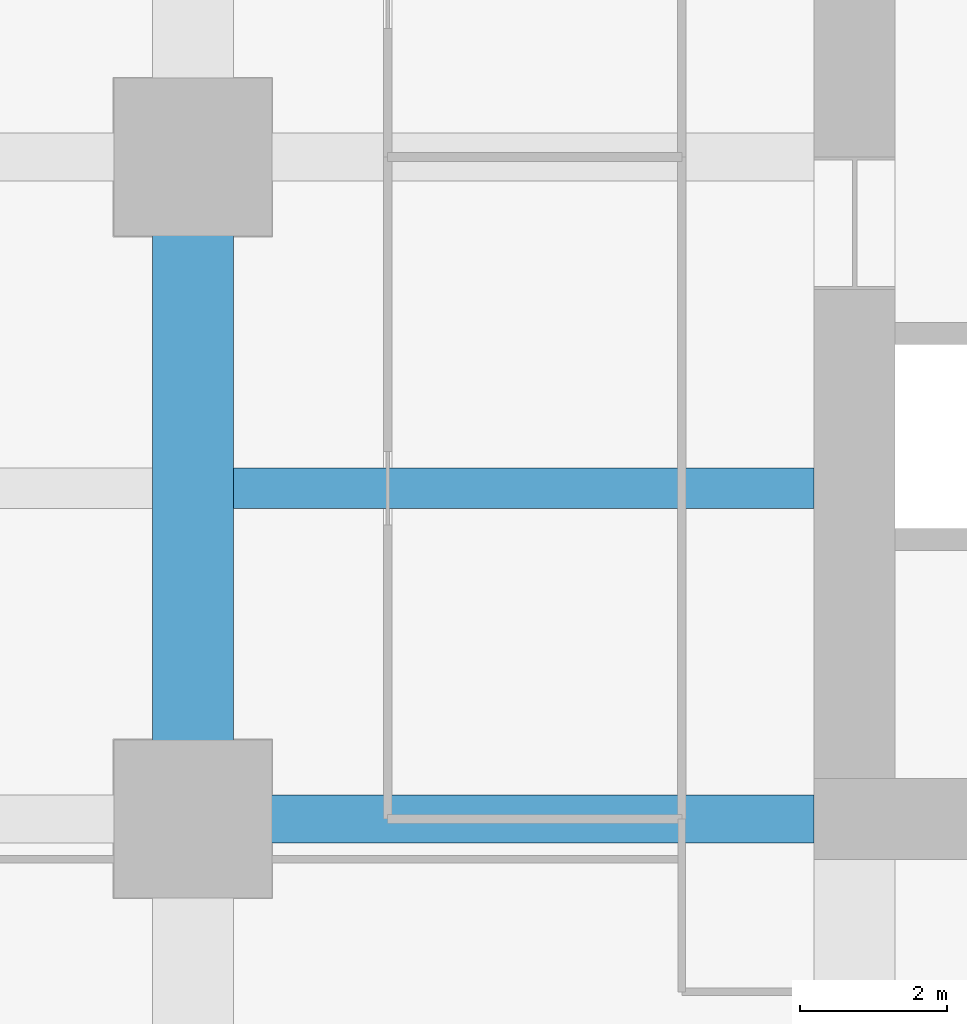
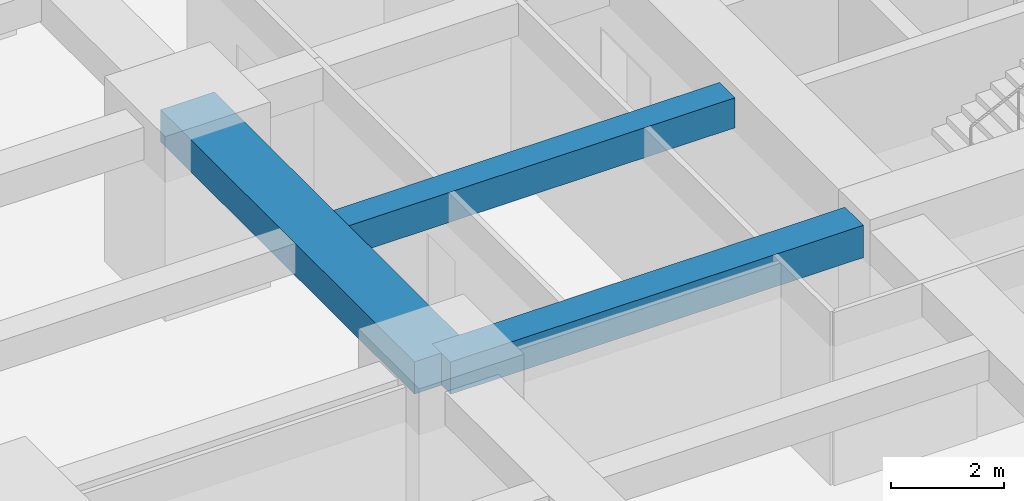
# One storey, part 10 of 44: 3 beams.
"""IFC4 building model written with IfcOpenShell, lengths in metres."""

from ifc_helpers import new_model, si_unit, direction, frame, origin, origin_2d, place, context, subcontext, project, spatial, rectangle, extrude, material, material_profile, profile_set, type_object, element, save


model = new_model("IFC4")

# Units and contexts
model_context = context("Model", 3, precision=1e-05, world=origin(), true_north=direction((0.0, 1.0)))
body_context = subcontext(model_context, "Body", "Model", "MODEL_VIEW")
ifc_project = project(units=[si_unit("LENGTHUNIT", "METRE"), si_unit("AREAUNIT", "SQUARE_METRE"), si_unit("VOLUMEUNIT", "CUBIC_METRE"), si_unit("PLANEANGLEUNIT", "RADIAN"), si_unit("MASSUNIT", "GRAM", prefix="KILO")], contexts=[model_context])

# Site, building, storey
site_placement = place(None, origin())
site = spatial("IfcSite", under=ifc_project, at=site_placement, CompositionType="ELEMENT")
building_placement = place(site_placement, origin())
building = spatial("IfcBuilding", under=site, at=building_placement, Name="Zorevar Civic Tower", CompositionType="ELEMENT")
storey_placement = place(building_placement, frame((0.0, 0.0, 55.800048828125)))
storey = spatial("IfcBuildingStorey", under=building, at=storey_placement, Name="L13", CompositionType="ELEMENT", Elevation=55.800048828125)

# Beams
ifc_material_1 = material(Name="Concrete C50/60", Category="concrete")
ifc_material_profile_1 = material_profile(ifc_material_1, rectangle(XDim=1.10009765625, YDim=0.699951171875, at=origin_2d()), Name="RC 1100x700")
ifc_profile_set_1 = profile_set([ifc_material_profile_1], Name="Concrete C50/60")
beam_type_1 = type_object("IfcBeamType", Name="Beam RC 1100x700", PredefinedType="BEAM", material=ifc_profile_set_1)
beam_1_placement = place(storey_placement, frame((9.0, 18.0, 3.39990234375), z_axis=(0.0, 1.0, 0.0), x_axis=(-1.0, 0.0, 0.0)))
element("IfcBeam", 1, at=beam_1_placement, inside=storey, type_object=beam_type_1, Name="Girder L14", PredefinedType="BEAM", context=body_context, shape_type="SweptSolid", body=[
    extrude(rectangle(XDim=1.10009765625, YDim=0.699951171875, at=origin_2d()), origin(), (0.0, 0.0, 1.0), 9.0),
])
ifc_material_2 = material(Name="Concrete C50/60", Category="concrete")
ifc_material_profile_2 = material_profile(ifc_material_2, rectangle(XDim=0.550048828125, YDim=0.64990234375, at=origin_2d()), Name="RC 550x650")
ifc_profile_set_2 = profile_set([ifc_material_profile_2], Name="Concrete C50/60")
beam_type_2 = type_object("IfcBeamType", Name="Beam RC 550x650", PredefinedType="BEAM", material=ifc_profile_set_2)
beam_2_placement = place(storey_placement, frame((9.550048828125, 22.5, 3.425048828125), z_axis=(1.0, 0.0, 0.0), x_axis=(0.0, 1.0, 0.0)))
element("IfcBeam", 2, at=beam_2_placement, inside=storey, type_object=beam_type_2, Name="Secondary beam L14", PredefinedType="BEAM", context=body_context, shape_type="SweptSolid", body=[
    extrude(rectangle(XDim=0.550048828125, YDim=0.64990234375, at=origin_2d()), origin(), (0.0, 0.0, 1.0), 7.89990234375),
])
ifc_material_3 = material(Name="Concrete C50/60", Category="concrete")
ifc_material_profile_3 = material_profile(ifc_material_3, rectangle(XDim=0.64990234375, YDim=0.699951171875, at=origin_2d()), Name="RC 650x700")
ifc_profile_set_3 = profile_set([ifc_material_profile_3], Name="Concrete C50/60")
beam_type_3 = type_object("IfcBeamType", Name="Beam RC 650x700", PredefinedType="BEAM", material=ifc_profile_set_3)
beam_3_placement = place(storey_placement, frame((9.0, 18.0, 3.39990234375), z_axis=(1.0, 0.0, 0.0), x_axis=(0.0, 1.0, 0.0)))
element("IfcBeam", 3, at=beam_3_placement, inside=storey, type_object=beam_type_3, Name="Girder L14", PredefinedType="BEAM", context=body_context, shape_type="SweptSolid", body=[
    extrude(rectangle(XDim=0.64990234375, YDim=0.699951171875, at=origin_2d()), origin(), (0.0, 0.0, 1.0), 8.449951171875),
])

save(model, "model.ifc")
